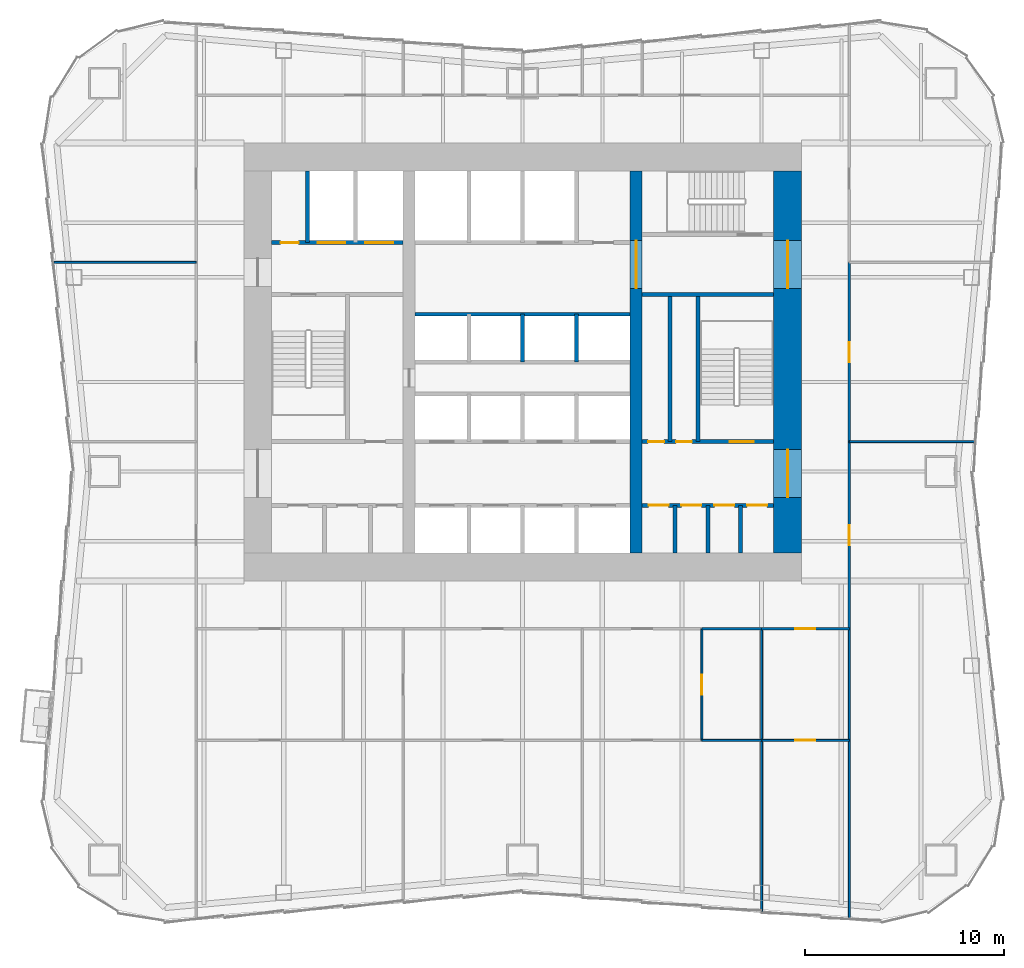
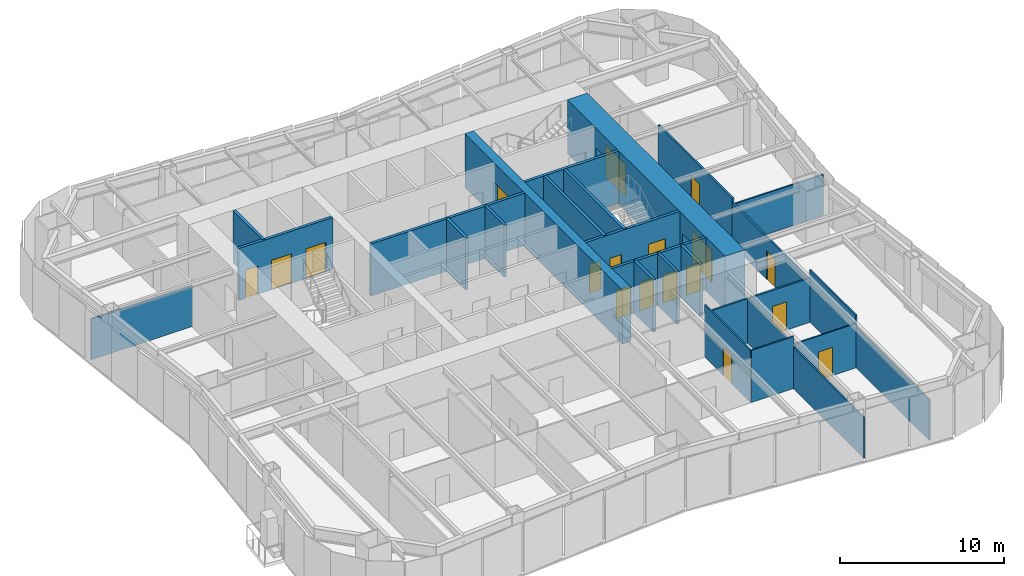
# One storey, part 5 of 8: 28 walls, 18 doors, 18 openings.
"""IFC4 building model written with IfcOpenShell, lengths in metres."""

import ifcopenshell
import ifcopenshell.guid

model = None  # the IFC model being written
_history = None  # IfcOwnerHistory: only IFC2X3 demands one
_inside = {}  # id of a spatial element -> (the spatial element, [elements in it])
_under = {}  # id of a project, library or spatial element -> (it, [spatial elements below it])
_declared = {}  # id of a project -> (the project, [libraries it declares])
_typed = {}  # id of a type object -> (the type object, [elements of that type])
_made_of = {}  # id of a material, layer set ... -> (it, [elements and type objects made of it])


def new_model(schema):
    """Start an empty IFC model of exactly this schema.

    Asked for "IFC4X3", IfcOpenShell would pick the latest addendum, in which some entities
    have other attributes; the version numbers below select the first issue.
    IFC2X3 requires an IfcOwnerHistory on every rooted entity: one is made here for all.
    """
    global model, _history
    if schema == "IFC4X3":
        model = ifcopenshell.file(schema_version=(4, 3, 0, 0))
    else:
        model = ifcopenshell.file(schema=schema)
    _inside.clear()
    _under.clear()
    _declared.clear()
    _typed.clear()
    _made_of.clear()
    _history = None
    if model.schema == "IFC2X3":
        org = make("IfcOrganization", Name="unknown")
        user = make(
            "IfcPersonAndOrganization",
            ThePerson=make("IfcPerson", FamilyName="unknown"),
            TheOrganization=org,
        )
        app = make(
            "IfcApplication",
            ApplicationDeveloper=org,
            Version="unknown",
            ApplicationFullName="unknown",
            ApplicationIdentifier="unknown",
        )
        _history = make(
            "IfcOwnerHistory",
            OwningUser=user,
            OwningApplication=app,
            ChangeAction="ADDED",
            CreationDate=0,
        )
    return model


def make(cls, **values):
    """One entity of the class cls with the attributes given. An attribute that is None is left unset."""
    return model.create_entity(
        cls, **{name: value for name, value in values.items() if value is not None}
    )


def rooted(cls, **values):
    """An entity with a GlobalId (a new one), such as an element, a storey or a relation."""
    return make(cls, GlobalId=ifcopenshell.guid.new(), OwnerHistory=_history, **values)


def si_unit(unit_type, name, prefix=None):
    """IfcSIUnit, for example si_unit("LENGTHUNIT", "METRE", prefix="MILLI")."""
    return make("IfcSIUnit", UnitType=unit_type, Prefix=prefix, Name=name)


def assignment(units):
    """IfcUnitAssignment: the units of a project."""
    return None if units is None else make("IfcUnitAssignment", Units=units)


def point(xyz):
    """IfcCartesianPoint."""
    return None if xyz is None else make("IfcCartesianPoint", Coordinates=xyz)


def direction(xyz):
    """IfcDirection."""
    return None if xyz is None else make("IfcDirection", DirectionRatios=xyz)


def frame(location, z_axis=None, x_axis=None):
    """IfcAxis2Placement3D, a coordinate frame: its origin and axes. An axis left out is left unset."""
    return make(
        "IfcAxis2Placement3D",
        Location=point(location),
        Axis=direction(z_axis),
        RefDirection=direction(x_axis),
    )


def frame_2d(location, x_axis=None):
    """IfcAxis2Placement2D, a coordinate frame in the plane: its origin and x axis."""
    return make(
        "IfcAxis2Placement2D", Location=point(location), RefDirection=direction(x_axis)
    )


def origin():
    """The frame at (0, 0, 0) with its axes left unset."""
    return frame((0.0, 0.0, 0.0))


def place(relative_to, where):
    """IfcLocalPlacement: puts the frame where relative to a parent placement (None: the world)."""
    return make(
        "IfcLocalPlacement", PlacementRelTo=relative_to, RelativePlacement=where
    )


def context(
    kind, dimensions, precision=None, world=None, true_north=None, identifier=None
):
    """IfcGeometricRepresentationContext, for example the 3D "Model" context."""
    return make(
        "IfcGeometricRepresentationContext",
        ContextIdentifier=identifier,
        ContextType=kind,
        CoordinateSpaceDimension=dimensions,
        Precision=precision,
        WorldCoordinateSystem=world,
        TrueNorth=true_north,
    )


def subcontext(parent, identifier, kind, view, scale=None):
    """IfcGeometricRepresentationSubContext, for example "Body" below "Model"."""
    return make(
        "IfcGeometricRepresentationSubContext",
        ContextIdentifier=identifier,
        ContextType=kind,
        ParentContext=parent,
        TargetScale=scale,
        TargetView=view,
    )


def project(units=None, contexts=None):
    """IfcProject with its units and contexts."""
    return rooted(
        "IfcProject",
        Name="project",
        RepresentationContexts=contexts,
        UnitsInContext=assignment(units),
    )


def spatial(cls, under=None, at=None, **own):
    """A site, building, storey or space (cls), placed at a placement, below another one or the project."""
    s = rooted(cls, ObjectPlacement=at, **own)
    if under is not None:
        _under.setdefault(under.id(), (under, []))[1].append(s)
    return s


def profile(cls, at=None, kind="AREA", **sizes):
    """A parametric profile (cls). Its sizes go by their IFC names, for example OverallWidth=200.0."""
    return make(cls, ProfileType=kind, Position=at, **sizes)


def rectangle(**sizes):
    """IfcRectangleProfileDef."""
    return profile("IfcRectangleProfileDef", **sizes)


def extrude(swept, where, along, depth):
    """IfcExtrudedAreaSolid: the profile swept, set in the frame where, extruded along a direction by depth."""
    return make(
        "IfcExtrudedAreaSolid",
        SweptArea=swept,
        Position=where,
        ExtrudedDirection=direction(along),
        Depth=depth,
    )


def shape(context_of_items, identifier, shape_type, items):
    """IfcShapeRepresentation: the items that make up one representation, for example the "Body"."""
    return make(
        "IfcShapeRepresentation",
        ContextOfItems=context_of_items,
        RepresentationIdentifier=identifier,
        RepresentationType=shape_type,
        Items=items,
    )


def material(Name=None, Category=None):
    """IfcMaterial."""
    return make("IfcMaterial", Name=Name, Category=Category)


def layer(
    of_material, thickness, ventilated=None, Name=None, Category=None, Priority=None
):
    """IfcMaterialLayer: one layer of a wall or slab, of a material (None: an air gap)."""
    return make(
        "IfcMaterialLayer",
        Material=of_material,
        LayerThickness=thickness,
        IsVentilated=ventilated,
        Name=Name,
        Category=Category,
        Priority=Priority,
    )


def layer_set(layers, Name=None):
    """IfcMaterialLayerSet."""
    return make("IfcMaterialLayerSet", MaterialLayers=layers, LayerSetName=Name)


def made_of(thing, what):
    """Note that an element or type object is made of a material, layer set ...; save() writes the relation."""
    if what is not None:
        _made_of.setdefault(what.id(), (what, []))[1].append(thing)
    return thing


def type_object(cls, material=None, **own):
    """A type object (cls), such as IfcWallType, which elements share."""
    return made_of(rooted(cls, **own), material)


def element(
    cls,
    number,
    at=None,
    inside=None,
    cuts=None,
    type_object=None,
    material=None,
    context=None,
    identifier="Body",
    shape_type=None,
    held_by="IfcProductDefinitionShape",
    body=None,
    shapes=None,
    **own,
):
    """One element of the class cls, such as IfcWall. Its Tag is "e" and its number.

    at: its placement. inside: the storey or other place that contains it. cuts: it is an
    opening in that element (IfcRelVoidsElement). A single representation is given by context,
    identifier, shape_type and body (its items); several are given by shapes. held_by: the class
    of the entity that holds the representations. save() writes the other relations.
    """
    e = rooted(cls, Tag="e%d" % number, ObjectPlacement=at, **own)
    if body is not None:
        shapes = [shape(context, identifier, shape_type, body)]
    if shapes is not None:
        e.Representation = make(held_by, Representations=shapes)
    if inside is not None:
        _inside.setdefault(inside.id(), (inside, []))[1].append(e)
    if cuts is not None:
        rooted(
            "IfcRelVoidsElement", RelatingBuildingElement=cuts, RelatedOpeningElement=e
        )
    if type_object is not None:
        _typed.setdefault(type_object.id(), (type_object, []))[1].append(e)
    return made_of(e, material)


def fill(opening, filler):
    """IfcRelFillsElement: the door or window that sits in an opening."""
    return rooted(
        "IfcRelFillsElement",
        RelatingOpeningElement=opening,
        RelatedBuildingElement=filler,
    )


def aggregate(whole, parts):
    """IfcRelAggregates: a whole, such as a stair, and the parts it consists of."""
    return rooted("IfcRelAggregates", RelatingObject=whole, RelatedObjects=parts)


def save(model, path):
    """Write the relations noted so far, then the file.

    IfcRelAggregates (storeys below a building ...), IfcRelContainedInSpatialStructure (elements
    in a storey), IfcRelDefinesByType, IfcRelAssociatesMaterial and IfcRelDeclares: one each for
    every whole, place, type object, material and project.
    """
    for whole, parts in _under.values():
        aggregate(whole, parts)
    for where, things in _inside.values():
        rooted(
            "IfcRelContainedInSpatialStructure",
            RelatedElements=things,
            RelatingStructure=where,
        )
    for kind, things in _typed.values():
        rooted("IfcRelDefinesByType", RelatedObjects=things, RelatingType=kind)
    for what, things in _made_of.values():
        rooted("IfcRelAssociatesMaterial", RelatedObjects=things, RelatingMaterial=what)
    for by, libraries in _declared.values():
        rooted("IfcRelDeclares", RelatingContext=by, RelatedDefinitions=libraries)
    model.write(path)


model = new_model("IFC4")

# Units and contexts
model_context = context("Model", 3, precision=1e-05, world=origin(), true_north=direction((0.0, 1.0)))
body_context = subcontext(model_context, "Body", "Model", "MODEL_VIEW")
ifc_project = project(units=[si_unit("LENGTHUNIT", "METRE"), si_unit("AREAUNIT", "SQUARE_METRE"), si_unit("VOLUMEUNIT", "CUBIC_METRE"), si_unit("PLANEANGLEUNIT", "RADIAN"), si_unit("MASSUNIT", "GRAM", prefix="KILO")], contexts=[model_context])

# Site, building, storey
site_placement = place(None, origin())
site = spatial("IfcSite", under=ifc_project, at=site_placement, CompositionType="ELEMENT")
building_placement = place(site_placement, origin())
building = spatial("IfcBuilding", under=site, at=building_placement, Name="Verdant Reach Tower", CompositionType="ELEMENT")
storey_placement = place(building_placement, frame((0.0, 0.0, 46.0)))
storey = spatial("IfcBuildingStorey", under=building, at=storey_placement, Name="L10", CompositionType="ELEMENT", Elevation=46.0)

# Wall, openings, doors
ifc_material_1 = material(Name="Gypsum board on steel studs", Category="steel")
ifc_layer_1 = layer(ifc_material_1, 0.199951171875)
ifc_layer_set_1 = layer_set([ifc_layer_1], Name="CO-WALL-ROOM")
wall_type_1 = type_object("IfcWallType", Name="CO-WALL-ROOM", PredefinedType="PARTITIONING", material=ifc_layer_set_1)
wall_1_placement = place(storey_placement, frame((6.0, 20.800048828125, 0.0), z_axis=(0.0, 0.0, 1.0), x_axis=(1.0, 0.0, 0.0)))
wall_1 = element("IfcWall", 1, at=wall_1_placement, inside=storey, type_object=wall_type_1, Name="Core partition, L10", PredefinedType="PARTITIONING", context=body_context, shape_type="SweptSolid", body=[
    extrude(rectangle(XDim=6.60009765625, YDim=0.199951171875, at=frame_2d((3.300048828125, 0.0))), origin(), (0.0, 0.0, 1.0), 3.8701171875),
])
opening_1_placement = place(wall_1_placement, frame((0.324951171875, 0.0, 0.0)))
opening_1 = element("IfcOpeningElement", 2, at=opening_1_placement, cuts=wall_1, Name="Opening CD", PredefinedType="OPENING", context=body_context, shape_type="SweptSolid", body=[
    extrude(rectangle(XDim=1.0, YDim=2.10009765625, at=frame_2d((0.5, 1.050048828125))), frame((0.0, 0.10986328125, 0.0), z_axis=(0.0, -1.0, 0.0), x_axis=(1.0, 0.0, 0.0)), (0.0, 0.0, 1.0), 0.219970703125),
])
opening_2_placement = place(wall_1_placement, frame((1.97509765625, 0.0, 0.0)))
opening_2 = element("IfcOpeningElement", 3, at=opening_2_placement, cuts=wall_1, Name="Opening CD", PredefinedType="OPENING", context=body_context, shape_type="SweptSolid", body=[
    extrude(rectangle(XDim=1.0, YDim=2.10009765625, at=frame_2d((0.5, 1.050048828125))), frame((0.0, 0.10986328125, 0.0), z_axis=(0.0, -1.0, 0.0), x_axis=(1.0, 0.0, 0.0)), (0.0, 0.0, 1.0), 0.219970703125),
])
opening_3_placement = place(wall_1_placement, frame((3.625, 0.0, 0.0)))
opening_3 = element("IfcOpeningElement", 4, at=opening_3_placement, cuts=wall_1, Name="Opening CD", PredefinedType="OPENING", context=body_context, shape_type="SweptSolid", body=[
    extrude(rectangle(XDim=1.0, YDim=2.10009765625, at=frame_2d((0.5, 1.050048828125))), frame((0.0, 0.10986328125, 0.0), z_axis=(0.0, -1.0, 0.0), x_axis=(1.0, 0.0, 0.0)), (0.0, 0.0, 1.0), 0.219970703125),
])
opening_4_placement = place(wall_1_placement, frame((5.27490234375, 0.0, 0.0)))
opening_4 = element("IfcOpeningElement", 5, at=opening_4_placement, cuts=wall_1, Name="Opening CD", PredefinedType="OPENING", context=body_context, shape_type="SweptSolid", body=[
    extrude(rectangle(XDim=1.0, YDim=2.10009765625, at=frame_2d((0.5, 1.050048828125))), frame((0.0, 0.10986328125, 0.0), z_axis=(0.0, -1.0, 0.0), x_axis=(1.0, 0.0, 0.0)), (0.0, 0.0, 1.0), 0.219970703125),
])
ifc_material_2 = material(Name="Timber", Category="wood")
door_type_1 = type_object("IfcDoorType", Name="CO-DOOR-ROOM", OperationType="NOTDEFINED", PredefinedType="DOOR", material=ifc_material_2)
door_1_placement = place(opening_1_placement, origin())
door_1 = element("IfcDoor", 6, at=door_1_placement, inside=storey, type_object=door_type_1, Name="Core room door, L10", OperationType="SINGLE_SWING_LEFT", OverallHeight=2.10009765625, OverallWidth=1.0, PredefinedType="DOOR", context=body_context, shape_type="SweptSolid", body=[
    extrude(rectangle(XDim=1.0, YDim=2.10009765625, at=frame_2d((0.5, 1.050048828125))), frame((0.0, 0.02490234375, 0.0), z_axis=(0.0, -1.0, 0.0), x_axis=(1.0, 0.0, 0.0)), (0.0, 0.0, 1.0), 0.050048828125),
])
fill(opening_1, door_1)
door_2_placement = place(opening_2_placement, origin())
door_2 = element("IfcDoor", 7, at=door_2_placement, inside=storey, type_object=door_type_1, Name="Core room door, L10", OperationType="SINGLE_SWING_LEFT", OverallHeight=2.10009765625, OverallWidth=1.0, PredefinedType="DOOR", context=body_context, shape_type="SweptSolid", body=[
    extrude(rectangle(XDim=1.0, YDim=2.10009765625, at=frame_2d((0.5, 1.050048828125))), frame((0.0, 0.02490234375, 0.0), z_axis=(0.0, -1.0, 0.0), x_axis=(1.0, 0.0, 0.0)), (0.0, 0.0, 1.0), 0.050048828125),
])
fill(opening_2, door_2)
door_3_placement = place(opening_3_placement, origin())
door_3 = element("IfcDoor", 8, at=door_3_placement, inside=storey, type_object=door_type_1, Name="Core room door, L10", OperationType="SINGLE_SWING_RIGHT", OverallHeight=2.10009765625, OverallWidth=1.0, PredefinedType="DOOR", context=body_context, shape_type="SweptSolid", body=[
    extrude(rectangle(XDim=1.0, YDim=2.10009765625, at=frame_2d((0.5, 1.050048828125))), frame((0.0, 0.02490234375, 0.0), z_axis=(0.0, -1.0, 0.0), x_axis=(1.0, 0.0, 0.0)), (0.0, 0.0, 1.0), 0.050048828125),
])
fill(opening_3, door_3)
door_4_placement = place(opening_4_placement, origin())
door_4 = element("IfcDoor", 9, at=door_4_placement, inside=storey, type_object=door_type_1, Name="Core room door, L10", OperationType="SINGLE_SWING_RIGHT", OverallHeight=2.10009765625, OverallWidth=1.0, PredefinedType="DOOR", context=body_context, shape_type="SweptSolid", body=[
    extrude(rectangle(XDim=1.0, YDim=2.10009765625, at=frame_2d((0.5, 1.050048828125))), frame((0.0, 0.02490234375, 0.0), z_axis=(0.0, -1.0, 0.0), x_axis=(1.0, 0.0, 0.0)), (0.0, 0.0, 1.0), 0.050048828125),
])
fill(opening_4, door_4)

# Walls
wall_2_placement = place(storey_placement, frame((7.39990234375, 24.0, 0.0), z_axis=(0.0, 0.0, 1.0), x_axis=(0.0, 1.0, 0.0)))
element("IfcWall", 10, at=wall_2_placement, inside=storey, type_object=wall_type_1, Name="Core partition, L10", PredefinedType="PARTITIONING", context=body_context, shape_type="SweptSolid", body=[
    extrude(rectangle(XDim=7.39990234375, YDim=0.199951171875, at=frame_2d((3.699951171875, 0.0))), origin(), (0.0, 0.0, 1.0), 3.8701171875),
])
for number, where, z_axis, x_axis, name in (
    (11, (7.64990234375, 18.39990234375, 0.0), (0.0, 0.0, 1.0), (0.0, 1.0, 0.0), "Core partition, L10"),
    (12, (9.300048828125, 18.39990234375, 0.0), (0.0, 0.0, 1.0), (0.0, 1.0, 0.0), "Core partition, L10"),
    (13, (10.949951171875, 18.39990234375, 0.0), (0.0, 0.0, 1.0), (0.0, 1.0, 0.0), "Core partition, L10"),
):
    element("IfcWall", number, at=place(storey_placement, frame(where, z_axis=z_axis, x_axis=x_axis)), inside=storey, type_object=wall_type_1, Name=name, PredefinedType="PARTITIONING", context=body_context, shape_type="SweptSolid", body=[
        extrude(rectangle(XDim=2.400146484375, YDim=0.199951171875, at=frame_2d((1.2001953125, 0.0))), origin(), (0.0, 0.0, 1.0), 3.8701171875),
    ])
ifc_material_3 = material(Name="Concrete C40/50", Category="concrete")
ifc_layer_2 = layer(ifc_material_3, 0.199951171875)
ifc_layer_set_2 = layer_set([ifc_layer_2], Name="CO-WALL-SHAFT")
wall_type_2 = type_object("IfcWallType", Name="CO-WALL-SHAFT", PredefinedType="PARTITIONING", material=ifc_layer_set_2)
wall_3_placement = place(storey_placement, frame((-5.39990234375, 30.39990234375, 0.0), z_axis=(0.0, 0.0, 1.0), x_axis=(1.0, 0.0, 0.0)))
element("IfcWall", 14, at=wall_3_placement, inside=storey, type_object=wall_type_2, Name="Lift shaft wall, L10", PredefinedType="PARTITIONING", context=body_context, shape_type="SweptSolid", body=[
    extrude(rectangle(XDim=10.7998046875, YDim=0.199951171875, at=frame_2d((5.39990234375, 0.0))), origin(), (0.0, 0.0, 1.0), 3.8701171875),
])

# Wall, openings, doors
wall_4_placement = place(storey_placement, frame((-12.60009765625, 34.0, 0.0), z_axis=(0.0, 0.0, 1.0), x_axis=(1.0, 0.0, 0.0)))
wall_4 = element("IfcWall", 15, at=wall_4_placement, inside=storey, type_object=wall_type_2, Name="Lift shaft wall, L10", PredefinedType="PARTITIONING", context=body_context, shape_type="SweptSolid", body=[
    extrude(rectangle(XDim=6.60009765625, YDim=0.199951171875, at=frame_2d((3.300048828125, 0.0))), origin(), (0.0, 0.0, 1.0), 3.8701171875),
])
opening_5_placement = place(wall_4_placement, frame((4.699951171875, 0.0, 0.0)))
opening_5 = element("IfcOpeningElement", 16, at=opening_5_placement, cuts=wall_4, Name="Opening LD-F1", PredefinedType="OPENING", context=body_context, shape_type="SweptSolid", body=[
    extrude(rectangle(XDim=1.39990234375, YDim=2.199951171875, at=frame_2d((0.699951171875, 1.10009765625))), frame((0.0, 0.10986328125, 0.0), z_axis=(0.0, -1.0, 0.0), x_axis=(1.0, 0.0, 0.0)), (0.0, 0.0, 1.0), 0.219970703125),
])
opening_6_placement = place(wall_4_placement, frame((2.300048828125, 0.0, 0.0)))
opening_6 = element("IfcOpeningElement", 17, at=opening_6_placement, cuts=wall_4, Name="Opening LD-F2", PredefinedType="OPENING", context=body_context, shape_type="SweptSolid", body=[
    extrude(rectangle(XDim=1.39990234375, YDim=2.199951171875, at=frame_2d((0.699951171875, 1.10009765625))), frame((0.0, 0.10986328125, 0.0), z_axis=(0.0, -1.0, 0.0), x_axis=(1.0, 0.0, 0.0)), (0.0, 0.0, 1.0), 0.219970703125),
])
opening_7_placement = place(wall_4_placement, frame((0.449951171875, 0.0, 0.0)))
opening_7 = element("IfcOpeningElement", 18, at=opening_7_placement, cuts=wall_4, Name="Opening RD", PredefinedType="OPENING", context=body_context, shape_type="SweptSolid", body=[
    extrude(rectangle(XDim=0.89990234375, YDim=2.10009765625, at=frame_2d((0.449951171875, 1.050048828125))), frame((0.0, 0.10986328125, 0.0), z_axis=(0.0, -1.0, 0.0), x_axis=(1.0, 0.0, 0.0)), (0.0, 0.0, 1.0), 0.219970703125),
])
ifc_material_4 = material(Name="Stainless steel", Category="steel")
door_type_2 = type_object("IfcDoorType", Name="CO-DOOR-LANDING-FF", OperationType="SLIDING_TO_LEFT", PredefinedType="DOOR", material=ifc_material_4)
door_5_placement = place(opening_5_placement, origin())
door_5 = element("IfcDoor", 19, at=door_5_placement, inside=storey, type_object=door_type_2, Name="Landing door F1, L10", OperationType="SLIDING_TO_LEFT", OverallHeight=2.199951171875, OverallWidth=1.39990234375, PredefinedType="DOOR", context=body_context, shape_type="SweptSolid", body=[
    extrude(rectangle(XDim=1.39990234375, YDim=2.199951171875, at=frame_2d((0.699951171875, 1.10009765625))), frame((0.0, 0.02490234375, 0.0), z_axis=(0.0, -1.0, 0.0), x_axis=(1.0, 0.0, 0.0)), (0.0, 0.0, 1.0), 0.050048828125),
])
fill(opening_5, door_5)
door_6_placement = place(opening_6_placement, origin())
door_6 = element("IfcDoor", 20, at=door_6_placement, inside=storey, type_object=door_type_2, Name="Landing door F2, L10", OperationType="SLIDING_TO_LEFT", OverallHeight=2.199951171875, OverallWidth=1.39990234375, PredefinedType="DOOR", context=body_context, shape_type="SweptSolid", body=[
    extrude(rectangle(XDim=1.39990234375, YDim=2.199951171875, at=frame_2d((0.699951171875, 1.10009765625))), frame((0.0, 0.02490234375, 0.0), z_axis=(0.0, -1.0, 0.0), x_axis=(1.0, 0.0, 0.0)), (0.0, 0.0, 1.0), 0.050048828125),
])
fill(opening_6, door_6)
ifc_material_5 = material(Name="Steel", Category="steel")
door_type_3 = type_object("IfcDoorType", Name="CO-DOOR-RISER", OperationType="NOTDEFINED", PredefinedType="DOOR", material=ifc_material_5)
door_7_placement = place(opening_7_placement, origin())
door_7 = element("IfcDoor", 21, at=door_7_placement, inside=storey, type_object=door_type_3, Name="Core room door, L10", OperationType="SINGLE_SWING_RIGHT", OverallHeight=2.10009765625, OverallWidth=0.89990234375, PredefinedType="DOOR", context=body_context, shape_type="SweptSolid", body=[
    extrude(rectangle(XDim=0.89990234375, YDim=2.10009765625, at=frame_2d((0.449951171875, 1.050048828125))), frame((0.0, 0.02490234375, 0.0), z_axis=(0.0, -1.0, 0.0), x_axis=(1.0, 0.0, 0.0)), (0.0, 0.0, 1.0), 0.050048828125),
])
fill(opening_7, door_7)

# Walls
wall_5_placement = place(storey_placement, frame((-10.800048828125, 34.0, 0.0), z_axis=(0.0, 0.0, 1.0), x_axis=(0.0, 1.0, 0.0)))
element("IfcWall", 22, at=wall_5_placement, inside=storey, type_object=wall_type_2, Name="Lift shaft wall, L10", PredefinedType="PARTITIONING", context=body_context, shape_type="SweptSolid", body=[
    extrude(rectangle(XDim=3.60009765625, YDim=0.199951171875, at=frame_2d((1.800048828125, 0.0))), origin(), (0.0, 0.0, 1.0), 3.8701171875),
])
for number, where, z_axis, x_axis, name in (
    (23, (0.0, 28.0, 0.0), (0.0, 0.0, 1.0), (0.0, 1.0, 0.0), "Lift shaft wall, L10"),
    (24, (2.699951171875, 28.0, 0.0), (0.0, 0.0, 1.0), (0.0, 1.0, 0.0), "Lift shaft wall, L10"),
):
    element("IfcWall", number, at=place(storey_placement, frame(where, z_axis=z_axis, x_axis=x_axis)), inside=storey, type_object=wall_type_2, Name=name, PredefinedType="PARTITIONING", context=body_context, shape_type="SweptSolid", body=[
        extrude(rectangle(XDim=2.39990234375, YDim=0.199951171875, at=frame_2d((1.199951171875, 0.0))), origin(), (0.0, 0.0, 1.0), 3.8701171875),
    ])

# Wall, openings, doors
ifc_layer_3 = layer(ifc_material_3, 0.199951171875)
ifc_layer_set_3 = layer_set([ifc_layer_3], Name="CO-WALL-STAIR")
wall_type_3 = type_object("IfcWallType", Name="CO-WALL-STAIR", PredefinedType="PARTITIONING", material=ifc_layer_set_3)
wall_6_placement = place(storey_placement, frame((6.0, 24.0, 0.0), z_axis=(0.0, 0.0, 1.0), x_axis=(1.0, 0.0, 0.0)))
wall_6 = element("IfcWall", 25, at=wall_6_placement, inside=storey, type_object=wall_type_3, Name="Stair enclosure wall, L10", PredefinedType="PARTITIONING", context=body_context, shape_type="SweptSolid", body=[
    extrude(rectangle(XDim=6.60009765625, YDim=0.199951171875, at=frame_2d((3.300048828125, 0.0))), origin(), (0.0, 0.0, 1.0), 3.8701171875),
])
opening_8_placement = place(wall_6_placement, frame((0.300048828125, 0.0, 0.0)))
opening_8 = element("IfcOpeningElement", 26, at=opening_8_placement, cuts=wall_6, Name="Opening CDN", PredefinedType="OPENING", context=body_context, shape_type="SweptSolid", body=[
    extrude(rectangle(XDim=0.800048828125, YDim=2.10009765625, at=frame_2d((0.39990234375, 1.050048828125))), frame((0.0, 0.10986328125, 0.0), z_axis=(0.0, -1.0, 0.0), x_axis=(1.0, 0.0, 0.0)), (0.0, 0.0, 1.0), 0.219970703125),
])
opening_9_placement = place(wall_6_placement, frame((1.699951171875, 0.0, 0.0)))
opening_9 = element("IfcOpeningElement", 27, at=opening_9_placement, cuts=wall_6, Name="Opening CDN", PredefinedType="OPENING", context=body_context, shape_type="SweptSolid", body=[
    extrude(rectangle(XDim=0.800048828125, YDim=2.10009765625, at=frame_2d((0.39990234375, 1.050048828125))), frame((0.0, 0.10986328125, 0.0), z_axis=(0.0, -1.0, 0.0), x_axis=(1.0, 0.0, 0.0)), (0.0, 0.0, 1.0), 0.219970703125),
])
opening_10_placement = place(wall_6_placement, frame((4.39990234375, 0.0, 0.0)))
opening_10 = element("IfcOpeningElement", 28, at=opening_10_placement, cuts=wall_6, Name="Opening SD", PredefinedType="OPENING", context=body_context, shape_type="SweptSolid", body=[
    extrude(rectangle(XDim=1.199951171875, YDim=2.199951171875, at=frame_2d((0.60009765625, 1.10009765625))), frame((0.0, 0.10986328125, 0.0), z_axis=(0.0, -1.0, 0.0), x_axis=(1.0, 0.0, 0.0)), (0.0, 0.0, 1.0), 0.219970703125),
])
door_type_4 = type_object("IfcDoorType", Name="CO-DOOR-ROOM-NARROW", OperationType="NOTDEFINED", PredefinedType="DOOR", material=ifc_material_2)
door_8_placement = place(opening_8_placement, origin())
door_8 = element("IfcDoor", 29, at=door_8_placement, inside=storey, type_object=door_type_4, Name="Core room door, L10", OperationType="SINGLE_SWING_LEFT", OverallHeight=2.10009765625, OverallWidth=0.800048828125, PredefinedType="DOOR", context=body_context, shape_type="SweptSolid", body=[
    extrude(rectangle(XDim=0.800048828125, YDim=2.10009765625, at=frame_2d((0.39990234375, 1.050048828125))), frame((0.0, 0.02490234375, 0.0), z_axis=(0.0, -1.0, 0.0), x_axis=(1.0, 0.0, 0.0)), (0.0, 0.0, 1.0), 0.050048828125),
])
fill(opening_8, door_8)
door_9_placement = place(opening_9_placement, origin())
door_9 = element("IfcDoor", 30, at=door_9_placement, inside=storey, type_object=door_type_4, Name="Core room door, L10", OperationType="SINGLE_SWING_RIGHT", OverallHeight=2.10009765625, OverallWidth=0.800048828125, PredefinedType="DOOR", context=body_context, shape_type="SweptSolid", body=[
    extrude(rectangle(XDim=0.800048828125, YDim=2.10009765625, at=frame_2d((0.39990234375, 1.050048828125))), frame((0.0, 0.02490234375, 0.0), z_axis=(0.0, -1.0, 0.0), x_axis=(1.0, 0.0, 0.0)), (0.0, 0.0, 1.0), 0.050048828125),
])
fill(opening_9, door_9)
door_type_5 = type_object("IfcDoorType", Name="CO-DOOR-STAIR", OperationType="NOTDEFINED", PredefinedType="DOOR", material=ifc_material_5)
door_10_placement = place(opening_10_placement, origin())
door_10 = element("IfcDoor", 31, at=door_10_placement, inside=storey, type_object=door_type_5, Name="Stair door, L10", OperationType="SINGLE_SWING_LEFT", OverallHeight=2.199951171875, OverallWidth=1.199951171875, PredefinedType="DOOR", context=body_context, shape_type="SweptSolid", body=[
    extrude(rectangle(XDim=1.199951171875, YDim=2.199951171875, at=frame_2d((0.60009765625, 1.10009765625))), frame((0.0, 0.02490234375, 0.0), z_axis=(0.0, -1.0, 0.0), x_axis=(1.0, 0.0, 0.0)), (0.0, 0.0, 1.0), 0.050048828125),
])
fill(opening_10, door_10)

# Walls
wall_7_placement = place(storey_placement, frame((6.0, 31.39990234375, 0.0), z_axis=(0.0, 0.0, 1.0), x_axis=(1.0, 0.0, 0.0)))
element("IfcWall", 32, at=wall_7_placement, inside=storey, type_object=wall_type_3, Name="Stair enclosure wall, L10", PredefinedType="PARTITIONING", context=body_context, shape_type="SweptSolid", body=[
    extrude(rectangle(XDim=6.60009765625, YDim=0.199951171875, at=frame_2d((3.300048828125, 0.0))), origin(), (0.0, 0.0, 1.0), 3.8701171875),
])
wall_8_placement = place(storey_placement, frame((8.800048828125, 24.0, 0.0), z_axis=(0.0, 0.0, 1.0), x_axis=(0.0, 1.0, 0.0)))
element("IfcWall", 33, at=wall_8_placement, inside=storey, type_object=wall_type_3, Name="Stair enclosure wall, L10", PredefinedType="PARTITIONING", context=body_context, shape_type="SweptSolid", body=[
    extrude(rectangle(XDim=7.39990234375, YDim=0.199951171875, at=frame_2d((3.699951171875, 0.0))), origin(), (0.0, 0.0, 1.0), 3.8701171875),
])

# Wall, opening, door
ifc_layer_4 = layer(ifc_material_1, 0.10009765625)
ifc_layer_set_4 = layer_set([ifc_layer_4], Name="FL-W1 Partition 100")
wall_type_4 = type_object("IfcWallType", Name="FL-W1 Partition 100", PredefinedType="PARTITIONING", material=ifc_layer_set_4)
wall_9_placement = place(storey_placement, frame((9.0, 14.60009765625, 0.0), z_axis=(0.0, 0.0, 1.0), x_axis=(0.0, -1.0, 0.0)))
wall_9 = element("IfcWall", 34, at=wall_9_placement, inside=storey, type_object=wall_type_4, Name="Partition 10.29", PredefinedType="PARTITIONING", context=body_context, shape_type="SweptSolid", body=[
    extrude(rectangle(XDim=5.60009765625, YDim=0.10009765625, at=frame_2d((2.800048828125, 0.0))), origin(), (0.0, 0.0, 1.0), 3.8701171875),
])
opening_11_placement = place(wall_9_placement, frame((2.300048828125, 0.0, 0.0)))
opening_11 = element("IfcOpeningElement", 35, at=opening_11_placement, cuts=wall_9, Name="Opening D3", PredefinedType="OPENING", context=body_context, shape_type="SweptSolid", body=[
    extrude(rectangle(XDim=1.0, YDim=2.10009765625, at=frame_2d((0.5, 1.050048828125))), frame((0.0, 0.06005859375, 0.0), z_axis=(0.0, -1.0, 0.0), x_axis=(1.0, 0.0, 0.0)), (0.0, 0.0, 1.0), 0.1201171875),
])
ifc_material_6 = material(Name="Painted timber door leaf", Category="wood")
door_type_6 = type_object("IfcDoorType", Name="FL-D3 Door 1000x2100", OperationType="NOTDEFINED", PredefinedType="DOOR", material=ifc_material_6)
door_11_placement = place(opening_11_placement, origin())
door_11 = element("IfcDoor", 36, at=door_11_placement, inside=storey, type_object=door_type_6, Name="Door 10-020", OperationType="SINGLE_SWING_RIGHT", OverallHeight=2.10009765625, OverallWidth=1.0, PredefinedType="DOOR", context=body_context, shape_type="SweptSolid", body=[
    extrude(rectangle(XDim=1.0, YDim=2.10009765625, at=frame_2d((0.5, 1.050048828125))), frame((0.0, 0.02490234375, 0.0), z_axis=(0.0, -1.0, 0.0), x_axis=(1.0, 0.0, 0.0)), (0.0, 0.0, 1.0), 0.050048828125),
])
fill(opening_11, door_11)

# Walls
wall_10_placement = place(storey_placement, frame((12.0, 9.0, 0.0), z_axis=(0.0, 0.0, 1.0), x_axis=(0.0, 1.0, 0.0)))
element("IfcWall", 37, at=wall_10_placement, inside=storey, type_object=wall_type_4, Name="Partition 10.31", PredefinedType="PARTITIONING", context=body_context, shape_type="SweptSolid", body=[
    extrude(rectangle(XDim=5.60009765625, YDim=0.10009765625, at=frame_2d((2.800048828125, 0.0))), origin(), (0.0, 0.0, 1.0), 3.2900390625),
])
wall_11_placement = place(storey_placement, frame((8.99609375, 9.0, 0.0), z_axis=(0.0, 0.0, 1.0), x_axis=(1.0, 0.0, 0.0)))
element("IfcWall", 38, at=wall_11_placement, inside=storey, type_object=wall_type_4, Name="Partition 10.32", PredefinedType="PARTITIONING", context=body_context, shape_type="SweptSolid", body=[
    extrude(rectangle(XDim=3.00390625, YDim=0.10009765625, at=frame_2d((1.501953125, 0.0))), origin(), (0.0, 0.0, 1.0), 3.8701171875),
])

# Wall, opening, door
wall_12_placement = place(storey_placement, frame((16.39990234375, 9.0, 0.0), z_axis=(0.0, 0.0, 1.0), x_axis=(-1.0, 0.0, 0.0)))
wall_12 = element("IfcWall", 39, at=wall_12_placement, inside=storey, type_object=wall_type_4, Name="Partition 10.33", PredefinedType="PARTITIONING", context=body_context, shape_type="SweptSolid", body=[
    extrude(rectangle(XDim=4.39990234375, YDim=0.10009765625, at=frame_2d((2.199951171875, 0.0))), origin(), (0.0, 0.0, 1.0), 3.2900390625),
])
opening_12_placement = place(wall_12_placement, frame((1.699951171875, 0.0, 0.0)))
opening_12 = element("IfcOpeningElement", 40, at=opening_12_placement, cuts=wall_12, Name="Opening D3", PredefinedType="OPENING", context=body_context, shape_type="SweptSolid", body=[
    extrude(rectangle(XDim=1.0, YDim=2.10009765625, at=frame_2d((0.5, 1.050048828125))), frame((0.0, 0.06005859375, 0.0), z_axis=(0.0, -1.0, 0.0), x_axis=(1.0, 0.0, 0.0)), (0.0, 0.0, 1.0), 0.1201171875),
])
door_12_placement = place(opening_12_placement, origin())
door_12 = element("IfcDoor", 41, at=door_12_placement, inside=storey, type_object=door_type_6, Name="Door 10-022", OperationType="SINGLE_SWING_RIGHT", OverallHeight=2.10009765625, OverallWidth=1.0, PredefinedType="DOOR", context=body_context, shape_type="SweptSolid", body=[
    extrude(rectangle(XDim=1.0, YDim=2.10009765625, at=frame_2d((0.5, 1.050048828125))), frame((0.0, 0.02490234375, 0.0), z_axis=(0.0, -1.0, 0.0), x_axis=(1.0, 0.0, 0.0)), (0.0, 0.0, 1.0), 0.050048828125),
])
fill(opening_12, door_12)

# Walls
wall_13_placement = place(storey_placement, frame((16.39990234375, 8.99609375, 0.0), z_axis=(0.0, 0.0, 1.0), x_axis=(0.0, 1.0, 0.0)))
element("IfcWall", 42, at=wall_13_placement, inside=storey, type_object=wall_type_4, Name="Partition 10.34", PredefinedType="PARTITIONING", context=body_context, shape_type="SweptSolid", body=[
    extrude(rectangle(XDim=5.60791015625, YDim=0.10009765625, at=frame_2d((2.803955078125, 0.0))), origin(), (0.0, 0.0, 1.0), 3.8701171875),
])
wall_14_placement = place(storey_placement, frame((12.0, 0.419921875, 0.0), z_axis=(0.0, 0.0, 1.0), x_axis=(0.0, 1.0, 0.0)))
element("IfcWall", 43, at=wall_14_placement, inside=storey, type_object=wall_type_4, Name="Partition 10.35", PredefinedType="PARTITIONING", context=body_context, shape_type="SweptSolid", body=[
    extrude(rectangle(XDim=8.580078125, YDim=0.10009765625, at=frame_2d((4.2900390625, 0.0))), origin(), (0.0, 0.0, 1.0), 3.0400390625),
])
wall_15_placement = place(storey_placement, frame((16.39990234375, 0.05322265625, 0.0), z_axis=(0.0, 0.0, 1.0), x_axis=(0.0, 1.0, 0.0)))
element("IfcWall", 44, at=wall_15_placement, inside=storey, type_object=wall_type_4, Name="Partition 10.36", PredefinedType="PARTITIONING", context=body_context, shape_type="SweptSolid", body=[
    extrude(rectangle(XDim=8.95068359375, YDim=0.10009765625, at=frame_2d((4.475341796875, 0.0))), origin(), (0.0, 0.0, 1.0), 3.0400390625),
])
wall_16_placement = place(storey_placement, frame((-16.39990234375, 33.0, 0.0), z_axis=(0.0, 0.0, 1.0), x_axis=(-1.0, 0.0, 0.0)))
element("IfcWall", 45, at=wall_16_placement, inside=storey, type_object=wall_type_4, Name="Partition 10.45", PredefinedType="PARTITIONING", context=body_context, shape_type="SweptSolid", body=[
    extrude(rectangle(XDim=7.134521484375, YDim=0.10009765625, at=frame_2d((3.5673828125, 0.0))), origin(), (0.0, 0.0, 1.0), 3.0400390625),
])
wall_17_placement = place(storey_placement, frame((22.71630859375, 24.0, 0.0), z_axis=(0.0, 0.0, 1.0), x_axis=(-1.0, 0.0, 0.0)))
element("IfcWall", 46, at=wall_17_placement, inside=storey, type_object=wall_type_4, Name="Partition 10.46", PredefinedType="PARTITIONING", context=body_context, shape_type="SweptSolid", body=[
    extrude(rectangle(XDim=6.31640625, YDim=0.10009765625, at=frame_2d((3.158203125, 0.0))), origin(), (0.0, 0.0, 1.0), 3.0400390625),
])
ifc_material_7 = material(Name="Gypsum board on steel studs, fire rated", Category="steel")
ifc_layer_5 = layer(ifc_material_7, 0.125)
ifc_layer_set_5 = layer_set([ifc_layer_5], Name="FL-W2 Corridor wall 125")
wall_type_5 = type_object("IfcWallType", Name="FL-W2 Corridor wall 125", PredefinedType="PARTITIONING", material=ifc_layer_set_5)
wall_18_placement = place(storey_placement, frame((9.0, 14.60009765625, 0.0), z_axis=(0.0, 0.0, 1.0), x_axis=(1.0, 0.0, 0.0)))
element("IfcWall", 47, at=wall_18_placement, inside=storey, type_object=wall_type_5, Name="Partition 10.05", PredefinedType="PARTITIONING", context=body_context, shape_type="SweptSolid", body=[
    extrude(rectangle(XDim=3.0, YDim=0.125, at=frame_2d((1.5, 0.0))), origin(), (0.0, 0.0, 1.0), 3.2900390625),
])

# Wall, opening, door
wall_19_placement = place(storey_placement, frame((16.39990234375, 14.60009765625, 0.0), z_axis=(0.0, 0.0, 1.0), x_axis=(-1.0, 0.0, 0.0)))
wall_19 = element("IfcWall", 48, at=wall_19_placement, inside=storey, type_object=wall_type_5, Name="Partition 10.06", PredefinedType="PARTITIONING", context=body_context, shape_type="SweptSolid", body=[
    extrude(rectangle(XDim=4.39990234375, YDim=0.125, at=frame_2d((2.199951171875, 0.0))), origin(), (0.0, 0.0, 1.0), 3.2900390625),
])
opening_13_placement = place(wall_19_placement, frame((1.699951171875, 0.0, 0.0)))
opening_13 = element("IfcOpeningElement", 49, at=opening_13_placement, cuts=wall_19, Name="Opening D2", PredefinedType="OPENING", context=body_context, shape_type="SweptSolid", body=[
    extrude(rectangle(XDim=1.0, YDim=2.10009765625, at=frame_2d((0.5, 1.050048828125))), frame((0.0, 0.072509765625, 0.0), z_axis=(0.0, -1.0, 0.0), x_axis=(1.0, 0.0, 0.0)), (0.0, 0.0, 1.0), 0.14501953125),
])
ifc_material_8 = material(Name="Timber door leaf, fire rated", Category="wood")
door_type_7 = type_object("IfcDoorType", Name="FL-D2 Entrance door 1000x2100 FD30", OperationType="NOTDEFINED", PredefinedType="DOOR", material=ifc_material_8)
door_13_placement = place(opening_13_placement, origin())
door_13 = element("IfcDoor", 50, at=door_13_placement, inside=storey, type_object=door_type_7, Name="Door 10-004", OperationType="SINGLE_SWING_RIGHT", OverallHeight=2.10009765625, OverallWidth=1.0, PredefinedType="DOOR", context=body_context, shape_type="SweptSolid", body=[
    extrude(rectangle(XDim=1.0, YDim=2.10009765625, at=frame_2d((0.5, 1.050048828125))), frame((0.0, 0.02490234375, 0.0), z_axis=(0.0, -1.0, 0.0), x_axis=(1.0, 0.0, 0.0)), (0.0, 0.0, 1.0), 0.050048828125),
])
fill(opening_13, door_13)

wall_20_placement = place(storey_placement, frame((16.39990234375, 24.0, 0.0), z_axis=(0.0, 0.0, 1.0), x_axis=(0.0, -1.0, 0.0)))
wall_20 = element("IfcWall", 51, at=wall_20_placement, inside=storey, type_object=wall_type_5, Name="Partition 10.16", PredefinedType="PARTITIONING", context=body_context, shape_type="SweptSolid", body=[
    extrude(rectangle(XDim=9.404052734375, YDim=0.125, at=frame_2d((4.7021484375, 0.0))), origin(), (0.0, 0.0, 1.0), 3.139892578125),
])
opening_14_placement = place(wall_20_placement, frame((4.201904296875, 0.0, 0.0)))
opening_14 = element("IfcOpeningElement", 52, at=opening_14_placement, cuts=wall_20, Name="Opening D2", PredefinedType="OPENING", context=body_context, shape_type="SweptSolid", body=[
    extrude(rectangle(XDim=1.0, YDim=2.10009765625, at=frame_2d((0.5, 1.050048828125))), frame((0.0, 0.072509765625, 0.0), z_axis=(0.0, -1.0, 0.0), x_axis=(1.0, 0.0, 0.0)), (0.0, 0.0, 1.0), 0.14501953125),
])
door_14_placement = place(opening_14_placement, origin())
door_14 = element("IfcDoor", 53, at=door_14_placement, inside=storey, type_object=door_type_7, Name="Door 10-014", OperationType="SINGLE_SWING_RIGHT", OverallHeight=2.10009765625, OverallWidth=1.0, PredefinedType="DOOR", context=body_context, shape_type="SweptSolid", body=[
    extrude(rectangle(XDim=1.0, YDim=2.10009765625, at=frame_2d((0.5, 1.050048828125))), frame((0.0, 0.02490234375, 0.0), z_axis=(0.0, -1.0, 0.0), x_axis=(1.0, 0.0, 0.0)), (0.0, 0.0, 1.0), 0.050048828125),
])
fill(opening_14, door_14)

wall_21_placement = place(storey_placement, frame((16.39990234375, 33.0, 0.0), z_axis=(0.0, 0.0, 1.0), x_axis=(0.0, -1.0, 0.0)))
wall_21 = element("IfcWall", 54, at=wall_21_placement, inside=storey, type_object=wall_type_5, Name="Partition 10.17", PredefinedType="PARTITIONING", context=body_context, shape_type="SweptSolid", body=[
    extrude(rectangle(XDim=9.0, YDim=0.125, at=frame_2d((4.5, 0.0))), origin(), (0.0, 0.0, 1.0), 3.47998046875),
])
opening_15_placement = place(wall_21_placement, frame((4.0, 0.0, 0.0)))
opening_15 = element("IfcOpeningElement", 55, at=opening_15_placement, cuts=wall_21, Name="Opening D2", PredefinedType="OPENING", context=body_context, shape_type="SweptSolid", body=[
    extrude(rectangle(XDim=1.0, YDim=2.10009765625, at=frame_2d((0.5, 1.050048828125))), frame((0.0, 0.072509765625, 0.0), z_axis=(0.0, -1.0, 0.0), x_axis=(1.0, 0.0, 0.0)), (0.0, 0.0, 1.0), 0.14501953125),
])
door_15_placement = place(opening_15_placement, origin())
door_15 = element("IfcDoor", 56, at=door_15_placement, inside=storey, type_object=door_type_7, Name="Door 10-015", OperationType="SINGLE_SWING_LEFT", OverallHeight=2.10009765625, OverallWidth=1.0, PredefinedType="DOOR", context=body_context, shape_type="SweptSolid", body=[
    extrude(rectangle(XDim=1.0, YDim=2.10009765625, at=frame_2d((0.5, 1.050048828125))), frame((0.0, 0.02490234375, 0.0), z_axis=(0.0, -1.0, 0.0), x_axis=(1.0, 0.0, 0.0)), (0.0, 0.0, 1.0), 0.050048828125),
])
fill(opening_15, door_15)

# Wall, openings, doors
ifc_material_9 = material(Name="Concrete C70/85", Category="concrete")
ifc_layer_6 = layer(ifc_material_9, 1.39990234375)
ifc_layer_set_6 = layer_set([ifc_layer_6], Name="ST-CORE-WALL-1400")
wall_type_6 = type_object("IfcWallType", Name="ST-CORE-WALL-1400", PredefinedType="SHEAR", material=ifc_layer_set_6)
wall_22_placement = place(storey_placement, frame((13.300048828125, 18.39990234375, -0.1298828125), z_axis=(0.0, 0.0, 1.0), x_axis=(0.0, 1.0, 0.0)))
wall_22 = element("IfcWall", 57, at=wall_22_placement, inside=storey, type_object=wall_type_6, Name="Core wall E, L10", PredefinedType="SHEAR", context=body_context, shape_type="SweptSolid", body=[
    extrude(rectangle(XDim=19.2001953125, YDim=1.39990234375, at=frame_2d((9.60009765625, 0.0))), origin(), (0.0, 0.0, 1.0), 4.0),
])
opening_16_placement = place(wall_22_placement, frame((2.800048828125, 0.0, 0.1298828125)))
opening_16 = element("IfcOpeningElement", 58, at=opening_16_placement, cuts=wall_22, Name="Opening LB", PredefinedType="OPENING", context=body_context, shape_type="SweptSolid", body=[
    extrude(rectangle(XDim=2.39990234375, YDim=2.39990234375, at=frame_2d((1.199951171875, 1.199951171875))), frame((0.0, 0.7099609375, 0.0), z_axis=(0.0, -1.0, 0.0), x_axis=(1.0, 0.0, 0.0)), (0.0, 0.0, 1.0), 1.419921875),
])
opening_17_placement = place(wall_22_placement, frame((13.300048828125, 0.0, 0.1298828125)))
opening_17 = element("IfcOpeningElement", 59, at=opening_17_placement, cuts=wall_22, Name="Opening LB", PredefinedType="OPENING", context=body_context, shape_type="SweptSolid", body=[
    extrude(rectangle(XDim=2.39990234375, YDim=2.39990234375, at=frame_2d((1.199951171875, 1.199951171875))), frame((0.0, 0.7099609375, 0.0), z_axis=(0.0, -1.0, 0.0), x_axis=(1.0, 0.0, 0.0)), (0.0, 0.0, 1.0), 1.419921875),
])
ifc_material_10 = material(Name="Glass and steel", Category="steel")
door_type_8 = type_object("IfcDoorType", Name="CO-DOOR-LOBBY", OperationType="DOUBLE_DOOR_SINGLE_SWING", PredefinedType="DOOR", material=ifc_material_10)
door_16_placement = place(opening_16_placement, origin())
door_16 = element("IfcDoor", 60, at=door_16_placement, inside=storey, type_object=door_type_8, Name="Core entrance door, L10", OperationType="DOUBLE_DOOR_SINGLE_SWING", OverallHeight=2.39990234375, OverallWidth=2.39990234375, PredefinedType="DOOR", context=body_context, shape_type="SweptSolid", body=[
    extrude(rectangle(XDim=2.39990234375, YDim=2.39990234375, at=frame_2d((1.199951171875, 1.199951171875))), frame((0.0, 0.02490234375, 0.0), z_axis=(0.0, -1.0, 0.0), x_axis=(1.0, 0.0, 0.0)), (0.0, 0.0, 1.0), 0.050048828125),
])
fill(opening_16, door_16)
door_17_placement = place(opening_17_placement, origin())
door_17 = element("IfcDoor", 61, at=door_17_placement, inside=storey, type_object=door_type_8, Name="Core entrance door, L10", OperationType="DOUBLE_DOOR_SINGLE_SWING", OverallHeight=2.39990234375, OverallWidth=2.39990234375, PredefinedType="DOOR", context=body_context, shape_type="SweptSolid", body=[
    extrude(rectangle(XDim=2.39990234375, YDim=2.39990234375, at=frame_2d((1.199951171875, 1.199951171875))), frame((0.0, 0.02490234375, 0.0), z_axis=(0.0, -1.0, 0.0), x_axis=(1.0, 0.0, 0.0)), (0.0, 0.0, 1.0), 0.050048828125),
])
fill(opening_17, door_17)

# Wall, opening, door
ifc_layer_7 = layer(ifc_material_9, 0.60009765625)
ifc_layer_set_7 = layer_set([ifc_layer_7], Name="ST-CORE-WALL-600")
wall_type_7 = type_object("IfcWallType", Name="ST-CORE-WALL-600", PredefinedType="SHEAR", material=ifc_layer_set_7)
wall_23_placement = place(storey_placement, frame((5.699951171875, 18.39990234375, -0.1298828125), z_axis=(0.0, 0.0, 1.0), x_axis=(0.0, 1.0, 0.0)))
wall_23 = element("IfcWall", 62, at=wall_23_placement, inside=storey, type_object=wall_type_7, Name="Core wall XE, L10", PredefinedType="SHEAR", context=body_context, shape_type="SweptSolid", body=[
    extrude(rectangle(XDim=19.2001953125, YDim=0.60009765625, at=frame_2d((9.60009765625, 0.0))), origin(), (0.0, 0.0, 1.0), 4.0),
])
opening_18_placement = place(wall_23_placement, frame((13.300048828125, 0.0, 0.1298828125)))
opening_18 = element("IfcOpeningElement", 63, at=opening_18_placement, cuts=wall_23, Name="Opening LB", PredefinedType="OPENING", context=body_context, shape_type="SweptSolid", body=[
    extrude(rectangle(XDim=2.39990234375, YDim=2.39990234375, at=frame_2d((1.199951171875, 1.199951171875))), frame((0.0, 0.31005859375, 0.0), z_axis=(0.0, -1.0, 0.0), x_axis=(1.0, 0.0, 0.0)), (0.0, 0.0, 1.0), 0.6201171875),
])
door_18_placement = place(opening_18_placement, origin())
door_18 = element("IfcDoor", 64, at=door_18_placement, inside=storey, type_object=door_type_8, Name="Core entrance door, L10", OperationType="DOUBLE_DOOR_SINGLE_SWING", OverallHeight=2.39990234375, OverallWidth=2.39990234375, PredefinedType="DOOR", context=body_context, shape_type="SweptSolid", body=[
    extrude(rectangle(XDim=2.39990234375, YDim=2.39990234375, at=frame_2d((1.199951171875, 1.199951171875))), frame((0.0, 0.02490234375, 0.0), z_axis=(0.0, -1.0, 0.0), x_axis=(1.0, 0.0, 0.0)), (0.0, 0.0, 1.0), 0.050048828125),
])
fill(opening_18, door_18)

save(model, "model.ifc")
